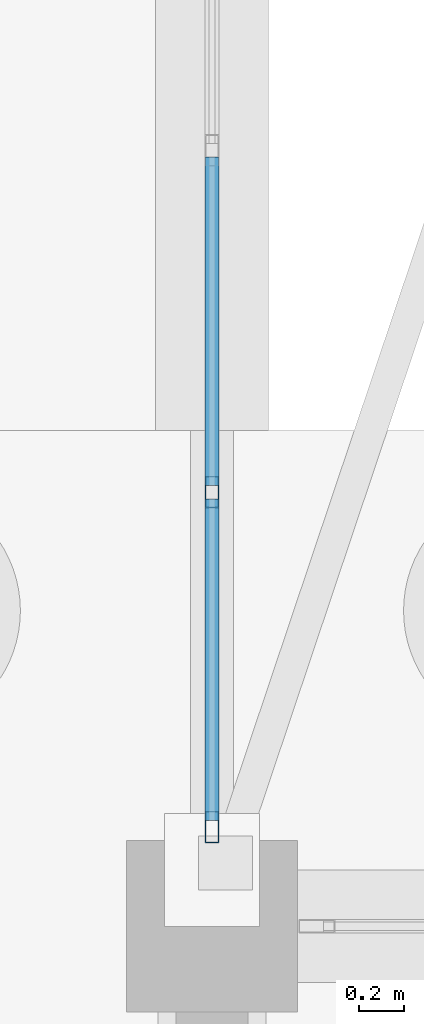
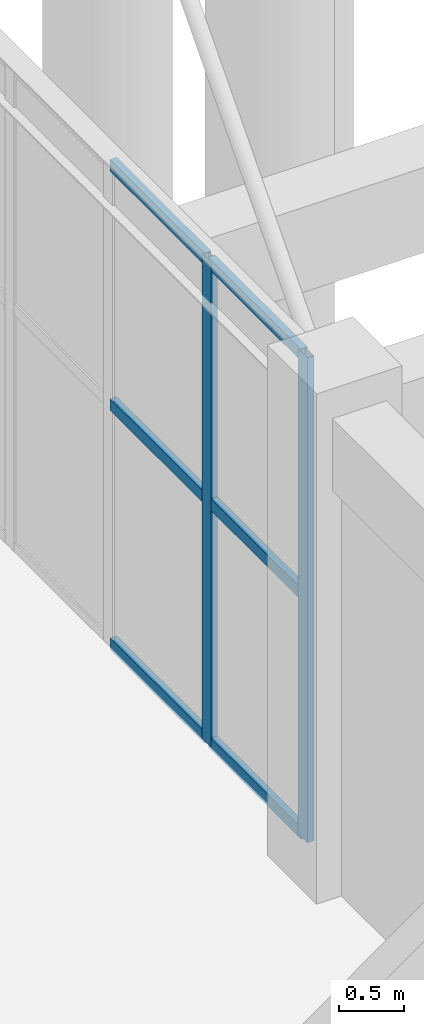
# One storey, part 93 of 192: 8 members, 1 element without a shape of its own.
"""IFC4 building model written with IfcOpenShell, lengths in metres."""

from ifc_helpers import new_model, si_unit, direction, frame, origin, origin_2d, place, context, subcontext, project, spatial, hollow_rectangle, extrude, material, layer, layer_set, material_profile, profile_set, type_object, element, aggregate, save


model = new_model("IFC4")

# Units and contexts
model_context = context("Model", 3, precision=1e-05, world=origin(), true_north=direction((0.0, 1.0)))
body_context = subcontext(model_context, "Body", "Model", "MODEL_VIEW")
ifc_project = project(units=[si_unit("LENGTHUNIT", "METRE"), si_unit("AREAUNIT", "SQUARE_METRE"), si_unit("VOLUMEUNIT", "CUBIC_METRE"), si_unit("PLANEANGLEUNIT", "RADIAN"), si_unit("MASSUNIT", "GRAM", prefix="KILO")], contexts=[model_context])

# Site, building, storey
site_placement = place(None, origin())
site = spatial("IfcSite", under=ifc_project, at=site_placement, CompositionType="ELEMENT")
building_placement = place(site_placement, origin())
building = spatial("IfcBuilding", under=site, at=building_placement, Name="Trelvath General Hospital", CompositionType="ELEMENT")
storey_placement = place(building_placement, origin())
storey = spatial("IfcBuildingStorey", under=building, at=storey_placement, Name="L00", CompositionType="ELEMENT", Elevation=0.0)

# Curtain wall, members
ifc_material_1 = material(Name="Anodised aluminium and low-E glass", Category="aluminium")
ifc_layer = layer(ifc_material_1, 0.139892578125)
ifc_layer_set = layer_set([ifc_layer], Name="Anodised aluminium and low-E glass")
curtain_wall_type = type_object("IfcCurtainWallType", Name="CW CrystalCube 758 456 14", PredefinedType="USERDEFINED", material=ifc_layer_set)
curtain_wall_placement = place(storey_placement, origin())
curtain_wall = element("IfcCurtainWall", 1, at=curtain_wall_placement, inside=storey, type_object=curtain_wall_type, Name="Crystal Cube Curtain Wall CUBE-W-T0 E5 L00", ObjectType="Unitised Glazed Curtain Wall", PredefinedType="USERDEFINED")
ifc_material_2 = material(Name="Anodised aluminium", Category="aluminium")
ifc_material_profile_1 = material_profile(ifc_material_2, hollow_rectangle(XDim=0.06005859375, YDim=0.139892578125, WallThickness=0.00390625, at=origin_2d()), Name="RHS60x140x4")
ifc_profile_set_1 = profile_set([ifc_material_profile_1], Name="Anodised aluminium")
member_type_1 = type_object("IfcMemberType", Name="CurtainMullion 60x140", PredefinedType="MULLION", material=ifc_profile_set_1)
member_1_placement = place(storey_placement, frame((75.60009765625, 69.1259765625, 0.0), z_axis=(0.0, 0.0, 1.0), x_axis=(1.0, 0.0, 0.0)))
member_1 = element("IfcMember", 2, at=member_1_placement, type_object=member_type_1, Name="CW-101 mullion 5", PredefinedType="MULLION", context=body_context, shape_type="SweptSolid", body=[
    extrude(hollow_rectangle(XDim=0.06005859375, YDim=0.139892578125, WallThickness=0.00390625, at=origin_2d()), origin(), (0.0, 0.0, 1.0), 4.56005859375),
])
member_2_placement = place(storey_placement, frame((75.60009765625, 67.639892578125, 0.0), z_axis=(0.0, 0.0, 1.0), x_axis=(1.0, 0.0, 0.0)))
member_2 = element("IfcMember", 3, at=member_2_placement, type_object=member_type_1, Name="CW-101 mullion 6", PredefinedType="MULLION", context=body_context, shape_type="SweptSolid", body=[
    extrude(hollow_rectangle(XDim=0.06005859375, YDim=0.139892578125, WallThickness=0.00390625, at=origin_2d()), origin(), (0.0, 0.0, 1.0), 4.56005859375),
])
ifc_material_3 = material(Name="Anodised aluminium", Category="aluminium")
ifc_material_profile_2 = material_profile(ifc_material_3, hollow_rectangle(XDim=0.06005859375, YDim=0.110107421875, WallThickness=0.00390625, at=origin_2d()), Name="RHS60x110x4")
ifc_profile_set_2 = profile_set([ifc_material_profile_2], Name="Anodised aluminium")
member_type_2 = type_object("IfcMemberType", Name="CurtainTransom 60x110", PredefinedType="USERDEFINED", material=ifc_profile_set_2)
member_3_placement = place(storey_placement, frame((75.60009765625, 70.612060546875, 0.030029296875), z_axis=(0.0, -1.0, 0.0), x_axis=(1.0, 0.0, 0.0)))
member_3 = element("IfcMember", 4, at=member_3_placement, type_object=member_type_2, Name="CW-101 transom 4.1", ObjectType="TRANSOM", PredefinedType="USERDEFINED", context=body_context, shape_type="SweptSolid", body=[
    extrude(hollow_rectangle(XDim=0.06005859375, YDim=0.110107421875, WallThickness=0.00390625, at=origin_2d()), origin(), (0.0, 0.0, 1.0), 1.4560546875),
])
member_4_placement = place(storey_placement, frame((75.60009765625, 70.612060546875, 2.280029296875), z_axis=(0.0, -1.0, 0.0), x_axis=(1.0, 0.0, 0.0)))
member_4 = element("IfcMember", 5, at=member_4_placement, type_object=member_type_2, Name="CW-101 transom 4.2", ObjectType="TRANSOM", PredefinedType="USERDEFINED", context=body_context, shape_type="SweptSolid", body=[
    extrude(hollow_rectangle(XDim=0.06005859375, YDim=0.110107421875, WallThickness=0.00390625, at=origin_2d()), origin(), (0.0, 0.0, 1.0), 1.4560546875),
])
member_5_placement = place(storey_placement, frame((75.60009765625, 70.612060546875, 4.530029296875), z_axis=(0.0, -1.0, 0.0), x_axis=(1.0, 0.0, 0.0)))
member_5 = element("IfcMember", 6, at=member_5_placement, type_object=member_type_2, Name="CW-101 transom 4.3", ObjectType="TRANSOM", PredefinedType="USERDEFINED", context=body_context, shape_type="SweptSolid", body=[
    extrude(hollow_rectangle(XDim=0.06005859375, YDim=0.110107421875, WallThickness=0.00390625, at=origin_2d()), origin(), (0.0, 0.0, 1.0), 1.4560546875),
])
member_6_placement = place(storey_placement, frame((75.60009765625, 69.095947265625, 0.030029296875), z_axis=(0.0, -1.0, 0.0), x_axis=(1.0, 0.0, 0.0)))
member_6 = element("IfcMember", 7, at=member_6_placement, type_object=member_type_2, Name="CW-101 transom 5.1", ObjectType="TRANSOM", PredefinedType="USERDEFINED", context=body_context, shape_type="SweptSolid", body=[
    extrude(hollow_rectangle(XDim=0.06005859375, YDim=0.110107421875, WallThickness=0.00390625, at=origin_2d()), origin(), (0.0, 0.0, 1.0), 1.426025390625),
])
member_7_placement = place(storey_placement, frame((75.60009765625, 69.095947265625, 2.280029296875), z_axis=(0.0, -1.0, 0.0), x_axis=(1.0, 0.0, 0.0)))
member_7 = element("IfcMember", 8, at=member_7_placement, type_object=member_type_2, Name="CW-101 transom 5.2", ObjectType="TRANSOM", PredefinedType="USERDEFINED", context=body_context, shape_type="SweptSolid", body=[
    extrude(hollow_rectangle(XDim=0.06005859375, YDim=0.110107421875, WallThickness=0.00390625, at=origin_2d()), origin(), (0.0, 0.0, 1.0), 1.426025390625),
])
member_8_placement = place(storey_placement, frame((75.60009765625, 69.095947265625, 4.530029296875), z_axis=(0.0, -1.0, 0.0), x_axis=(1.0, 0.0, 0.0)))
member_8 = element("IfcMember", 9, at=member_8_placement, type_object=member_type_2, Name="CW-101 transom 5.3", ObjectType="TRANSOM", PredefinedType="USERDEFINED", context=body_context, shape_type="SweptSolid", body=[
    extrude(hollow_rectangle(XDim=0.06005859375, YDim=0.110107421875, WallThickness=0.00390625, at=origin_2d()), origin(), (0.0, 0.0, 1.0), 1.426025390625),
])
aggregate(curtain_wall, [member_1, member_2, member_3, member_4, member_5, member_6, member_7, member_8])

save(model, "model.ifc")
